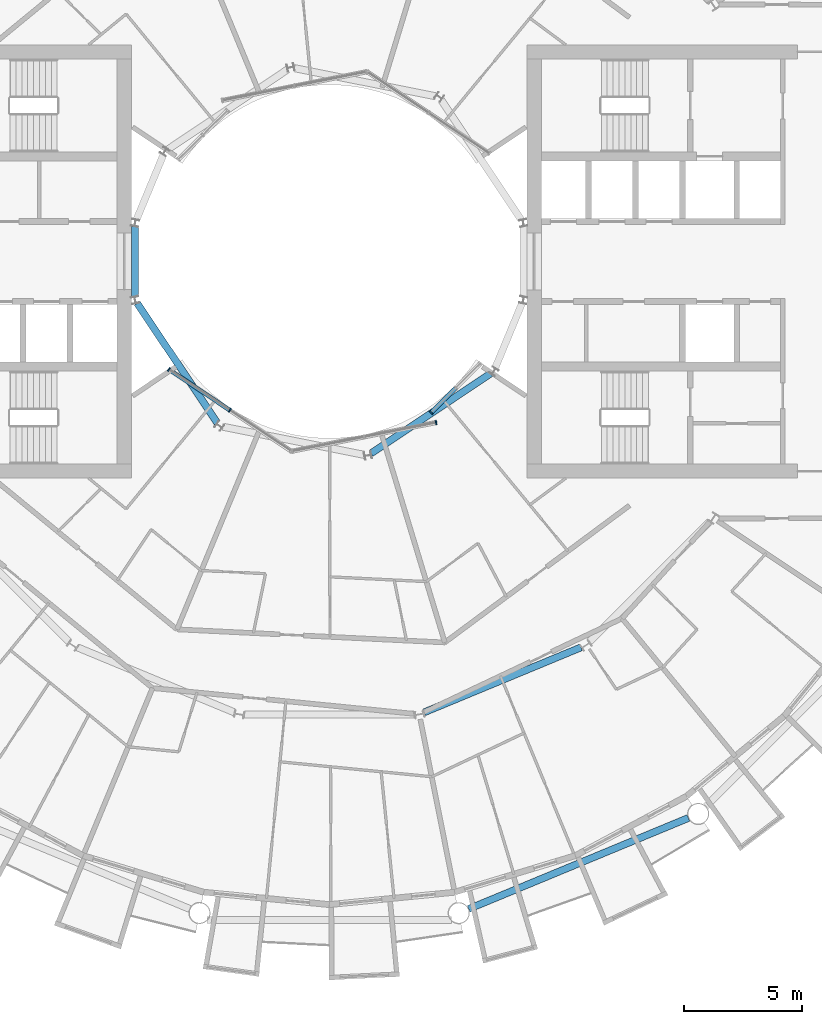
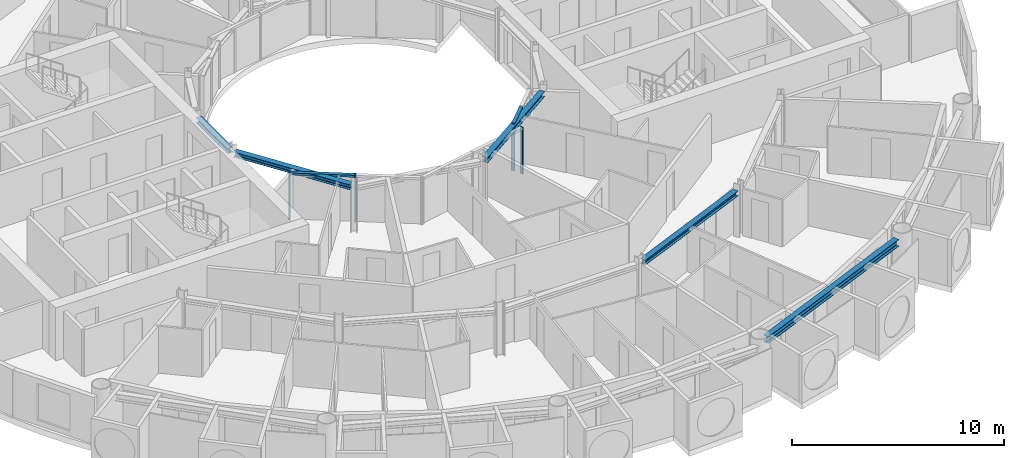
# One storey, part 6 of 27: 6 members, 5 beams, 3 elements without a shape of their own.
"""IFC4 building model written with IfcOpenShell, lengths in metres."""

from ifc_helpers import new_model, si_unit, direction, frame, origin, origin_2d, place, context, subcontext, project, spatial, rectangle, i_section, extrude, material, layer, layer_set, material_profile, profile_set, type_object, element, aggregate, save


model = new_model("IFC4")

# Units and contexts
model_context = context("Model", 3, precision=1e-05, world=origin(), true_north=direction((0.0, 1.0)))
body_context = subcontext(model_context, "Body", "Model", "MODEL_VIEW")
ifc_project = project(units=[si_unit("LENGTHUNIT", "METRE"), si_unit("AREAUNIT", "SQUARE_METRE"), si_unit("VOLUMEUNIT", "CUBIC_METRE"), si_unit("PLANEANGLEUNIT", "RADIAN"), si_unit("MASSUNIT", "GRAM", prefix="KILO")], contexts=[model_context])

# Site, building, storey
site_placement = place(None, origin())
site = spatial("IfcSite", under=ifc_project, at=site_placement, CompositionType="ELEMENT")
building_placement = place(site_placement, origin())
building = spatial("IfcBuilding", under=site, at=building_placement, Name="Maasbend Ring Residences", CompositionType="ELEMENT")
storey_placement = place(building_placement, frame((0.0, 0.0, 111.64990234375)))
storey = spatial("IfcBuildingStorey", under=building, at=storey_placement, Name="L31", CompositionType="ELEMENT", Elevation=111.64990234375)

# Curtain wall, members
ifc_material_1 = material(Name="Aluminium and clear glass", Category="aluminium")
ifc_layer = layer(ifc_material_1, 0.179931640625)
ifc_layer_set = layer_set([ifc_layer], Name="CW-W")
curtain_wall_type = type_object("IfcCurtainWallType", Name="CW-W", PredefinedType="NOTDEFINED", material=ifc_layer_set)
curtain_wall_1_placement = place(storey_placement, origin())
curtain_wall_1 = element("IfcCurtainWall", 1, at=curtain_wall_1_placement, inside=storey, type_object=curtain_wall_type, Name="Well curtain wall S1", PredefinedType="NOTDEFINED")
ifc_material_2 = material(Name="Aluminium 6063-T6", Category="aluminium")
ifc_material_profile_1 = material_profile(ifc_material_2, rectangle(XDim=0.179931640625, YDim=0.06005859375, at=origin_2d()), Name="AL 180x60")
ifc_profile_set_1 = profile_set([ifc_material_profile_1], Name="Aluminium 6063-T6")
member_type_1 = type_object("IfcMemberType", Name="CWM-W", PredefinedType="MULLION", material=ifc_profile_set_1)
member_1_placement = place(storey_placement, frame((-6.805908203125, -4.580810546875, 0.0), z_axis=(0.0, 0.0, 1.0), x_axis=(0.55557023302, 0.831469612303, 0.0)))
member_1 = element("IfcMember", 2, at=member_1_placement, type_object=member_type_1, Name="Mullion well face", PredefinedType="MULLION", context=body_context, shape_type="SweptSolid", body=[
    extrude(rectangle(XDim=0.179931640625, YDim=0.06005859375, at=origin_2d()), origin(), (0.0, 0.0, 1.0), 2.7001953125),
])
member_2_placement = place(storey_placement, frame((-4.216796875, -6.310791015625, 0.0), z_axis=(0.0, 0.0, 1.0), x_axis=(0.55557023302, 0.831469612303, 0.0)))
member_2 = element("IfcMember", 3, at=member_2_placement, type_object=member_type_1, Name="Mullion well face", PredefinedType="MULLION", context=body_context, shape_type="SweptSolid", body=[
    extrude(rectangle(XDim=0.179931640625, YDim=0.06005859375, at=origin_2d()), origin(), (0.0, 0.0, 1.0), 2.7001953125),
])

# Curtain wall, member
curtain_wall_2_placement = place(storey_placement, origin())
curtain_wall_2 = element("IfcCurtainWall", 4, at=curtain_wall_2_placement, inside=storey, type_object=curtain_wall_type, Name="Well curtain wall S2", PredefinedType="NOTDEFINED")
member_3_placement = place(storey_placement, frame((4.53466796875, -6.836669921875, 0.0), z_axis=(0.0, 0.0, 1.0), x_axis=(-0.195090322016, 0.980785280403, 0.0)))
member_3 = element("IfcMember", 5, at=member_3_placement, type_object=member_type_1, Name="Mullion well face", PredefinedType="MULLION", context=body_context, shape_type="SweptSolid", body=[
    extrude(rectangle(XDim=0.179931640625, YDim=0.06005859375, at=origin_2d()), origin(), (0.0, 0.0, 1.0), 2.7001953125),
])
aggregate(curtain_wall_2, [member_3])

curtain_wall_3_placement = place(storey_placement, origin())
curtain_wall_3 = element("IfcCurtainWall", 6, at=curtain_wall_3_placement, inside=storey, type_object=curtain_wall_type, Name="Well curtain wall S3", PredefinedType="NOTDEFINED")
member_4_placement = place(storey_placement, frame((4.320556640625, -6.413330078125, 0.0), z_axis=(0.0, 0.0, 1.0), x_axis=(-0.707106781187, 0.707106781187, 0.0)))
member_4 = element("IfcMember", 7, at=member_4_placement, type_object=member_type_1, Name="Mullion well face", PredefinedType="MULLION", context=body_context, shape_type="SweptSolid", body=[
    extrude(rectangle(XDim=0.179931640625, YDim=0.06005859375, at=origin_2d()), origin(), (0.0, 0.0, 1.0), 2.7001953125),
])

# Member
ifc_material_3 = material(Name="Aluminium 6063-T6", Category="aluminium")
ifc_material_profile_2 = material_profile(ifc_material_3, rectangle(XDim=0.179931640625, YDim=0.1201171875, at=origin_2d()), Name="AL 180x120")
ifc_profile_set_2 = profile_set([ifc_material_profile_2], Name="Aluminium 6063-T6")
member_type_2 = type_object("IfcMemberType", Name="CWT-W", PredefinedType="USERDEFINED", material=ifc_profile_set_2)
member_5_placement = place(storey_placement, frame((-6.781005859375, -4.59765625, 2.64013671875), z_axis=(0.831496422459, -0.555530106689, 0.0), x_axis=(0.555530106689, 0.831496422459, 0.0)))
member_5 = element("IfcMember", 8, at=member_5_placement, type_object=member_type_2, Name="Transom well face", ObjectType="TRANSOM", PredefinedType="USERDEFINED", context=body_context, shape_type="SweptSolid", body=[
    extrude(rectangle(XDim=0.179931640625, YDim=0.1201171875, at=origin_2d()), origin(), (0.0, 0.0, 1.0), 3.053955078125),
])

aggregate(curtain_wall_1, [member_1, member_2, member_5])

member_6_placement = place(storey_placement, frame((4.341796875, -6.39208984375, 2.64013671875), z_axis=(0.707106781187, 0.707106781187, 0.0), x_axis=(-0.707106781187, 0.707106781187, 0.0)))
member_6 = element("IfcMember", 9, at=member_6_placement, type_object=member_type_2, Name="Transom well face", ObjectType="TRANSOM", PredefinedType="USERDEFINED", context=body_context, shape_type="SweptSolid", body=[
    extrude(rectangle(XDim=0.179931640625, YDim=0.1201171875, at=origin_2d()), origin(), (0.0, 0.0, 1.0), 1.419677734375),
])

aggregate(curtain_wall_3, [member_4, member_6])

# Beams
ifc_material_4 = material(Name="Steel S355J2", Category="steel")
ifc_material_profile_3 = material_profile(ifc_material_4, i_section(OverallWidth=0.300048828125, OverallDepth=0.2900390625, WebThickness=0.008544921875, FlangeThickness=0.013916015625, FilletRadius=0.027099609375, at=origin_2d()), Name="HEA 300")
ifc_profile_set_3 = profile_set([ifc_material_profile_3], Name="Steel S355J2")
beam_type_1 = type_object("IfcBeamType", Name="Corridor ring beam HEA 300", PredefinedType="BEAM", material=ifc_profile_set_3)
beam_1_placement = place(storey_placement, frame((4.02734375, -19.13916015625, 2.55517578125), z_axis=(0.923877693919, 0.382687871089, 0.0), x_axis=(-0.382687871089, 0.923877693919, 0.0)))
element("IfcBeam", 10, at=beam_1_placement, inside=storey, type_object=beam_type_1, Name="Corridor ring beam", PredefinedType="BEAM", context=body_context, shape_type="SweptSolid", body=[
    extrude(i_section(OverallWidth=0.300048828125, OverallDepth=0.2900390625, WebThickness=0.008544921875, FlangeThickness=0.013916015625, FilletRadius=0.027099609375, at=origin_2d()), origin(), (0.0, 0.0, 1.0), 7.20703125),
])
ifc_material_5 = material(Name="Steel S355J2", Category="steel")
ifc_material_profile_4 = material_profile(ifc_material_5, i_section(OverallWidth=0.300048828125, OverallDepth=0.39990234375, WebThickness=0.013427734375, FlangeThickness=0.02392578125, FilletRadius=0.027099609375, at=origin_2d()), Name="HEB 400")
ifc_profile_set_4 = profile_set([ifc_material_profile_4], Name="Steel S355J2")
beam_type_2 = type_object("IfcBeamType", Name="Spandrel ring beam HEB 400", PredefinedType="SPANDREL", material=ifc_profile_set_4)
beam_2_placement = place(storey_placement, frame((5.923583984375, -27.483154296875, 2.5), z_axis=(0.92388529709, 0.382669515144, 0.0), x_axis=(-0.382669515144, 0.92388529709, 0.0)))
element("IfcBeam", 11, at=beam_2_placement, inside=storey, type_object=beam_type_2, Name="Spandrel ring beam", PredefinedType="SPANDREL", context=body_context, shape_type="SweptSolid", body=[
    extrude(i_section(OverallWidth=0.300048828125, OverallDepth=0.39990234375, WebThickness=0.013427734375, FlangeThickness=0.02392578125, FilletRadius=0.027099609375, at=origin_2d()), origin(), (0.0, 0.0, 1.0), 10.089111328125),
])
ifc_material_6 = material(Name="Steel S355J2", Category="steel")
ifc_material_profile_5 = material_profile(ifc_material_6, i_section(OverallWidth=0.300048828125, OverallDepth=0.2900390625, WebThickness=0.008544921875, FlangeThickness=0.013916015625, FilletRadius=0.027099609375, at=origin_2d()), Name="HEA 300")
ifc_profile_set_5 = profile_set([ifc_material_profile_5], Name="Steel S355J2")
beam_type_3 = type_object("IfcBeamType", Name="Well edge beam HEA 300", PredefinedType="BEAM", material=ifc_profile_set_5)
beam_3_placement = place(storey_placement, frame((-8.238525390625, 1.48583984375, 2.55517578125), z_axis=(0.0, -1.0, 0.0), x_axis=(1.0, 0.0, 0.0)))
element("IfcBeam", 12, at=beam_3_placement, inside=storey, type_object=beam_type_3, Name="Well edge beam", PredefinedType="BEAM", context=body_context, shape_type="SweptSolid", body=[
    extrude(i_section(OverallWidth=0.300048828125, OverallDepth=0.2900390625, WebThickness=0.008544921875, FlangeThickness=0.013916015625, FilletRadius=0.027099609375, at=origin_2d()), origin(), (0.0, 0.0, 1.0), 2.9716796875),
])
for number, where, z_axis, x_axis, name in (
    (13, (-8.1484375, -1.773681640625, 2.55517578125), (0.555558236289, -0.831477628137, 0.0), (0.831477628137, 0.555558236289, 0.0), "Well edge beam"),
    (14, (1.773681640625, -8.1484375, 2.55517578125), (0.831477628137, 0.555558236289, 0.0), (-0.555558236289, 0.831477628137, 0.0), "Well edge beam"),
):
    element("IfcBeam", number, at=place(storey_placement, frame(where, z_axis=z_axis, x_axis=x_axis)), inside=storey, type_object=beam_type_3, Name=name, PredefinedType="BEAM", context=body_context, shape_type="SweptSolid", body=[
        extrude(i_section(OverallWidth=0.300048828125, OverallDepth=0.2900390625, WebThickness=0.008544921875, FlangeThickness=0.013916015625, FilletRadius=0.027099609375, at=origin_2d()), origin(), (0.0, 0.0, 1.0), 6.1044921875),
    ])

save(model, "model.ifc")
